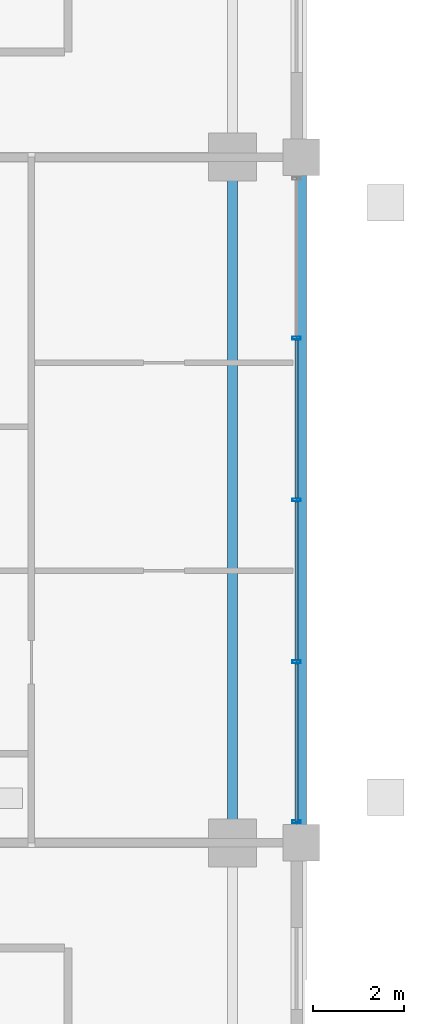
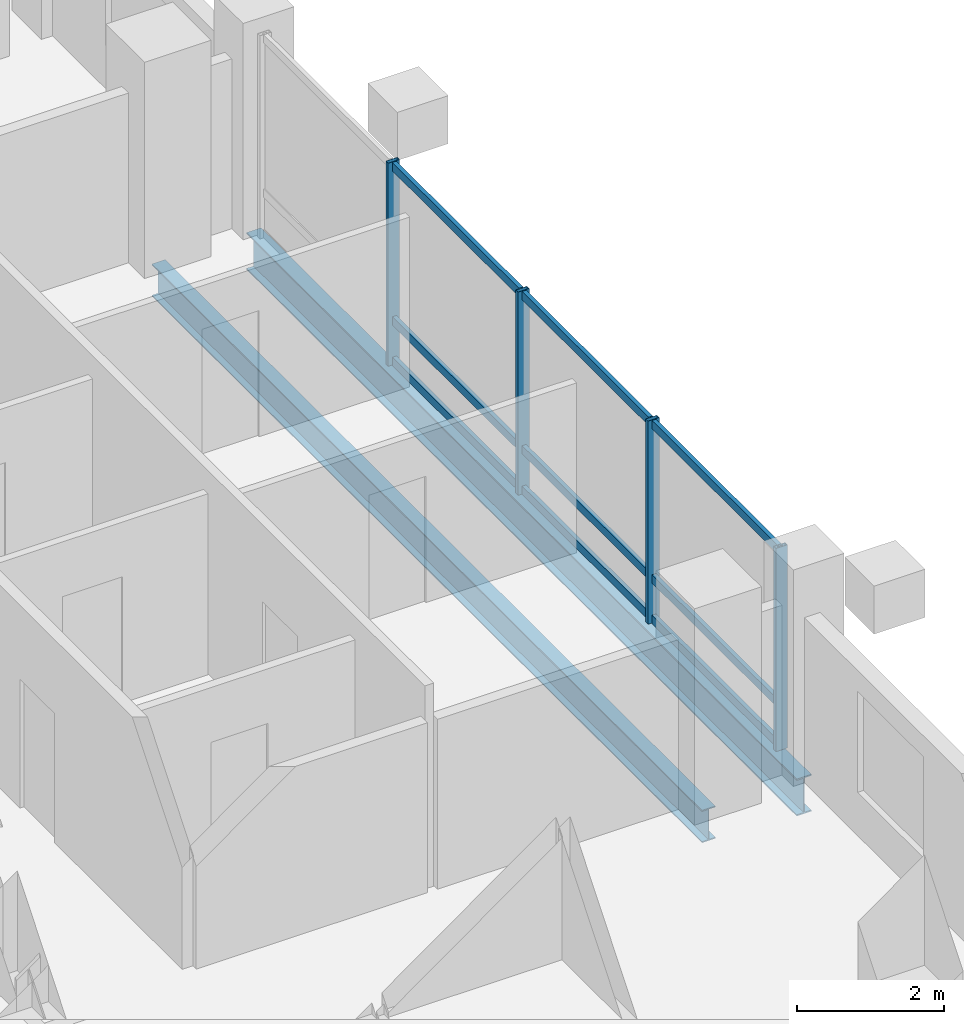
# One storey, part 10 of 24: 13 members, 2 beams, 1 element without a shape of its own.
"""IFC4 building model written with IfcOpenShell, lengths in metres."""

from ifc_helpers import new_model, si_unit, direction, frame, origin, origin_2d, place, context, subcontext, project, spatial, hollow_rectangle, i_section, extrude, material, layer, layer_set, material_profile, profile_set, type_object, element, aggregate, save


model = new_model("IFC4")

# Units and contexts
model_context = context("Model", 3, precision=1e-05, world=origin(), true_north=direction((0.0, 1.0)))
body_context = subcontext(model_context, "Body", "Model", "MODEL_VIEW")
ifc_project = project(units=[si_unit("LENGTHUNIT", "METRE"), si_unit("AREAUNIT", "SQUARE_METRE"), si_unit("VOLUMEUNIT", "CUBIC_METRE"), si_unit("PLANEANGLEUNIT", "RADIAN"), si_unit("MASSUNIT", "GRAM", prefix="KILO")], contexts=[model_context])

# Site, building, storey
site_placement = place(None, origin())
site = spatial("IfcSite", under=ifc_project, at=site_placement, CompositionType="ELEMENT")
building_placement = place(site_placement, origin())
building = spatial("IfcBuilding", under=site, at=building_placement, Name="Barlavira Tower and Art Museum", CompositionType="ELEMENT")
storey_placement = place(building_placement, frame((0.0, 0.0, 169.199951171875)))
storey = spatial("IfcBuildingStorey", under=building, at=storey_placement, Name="L43", CompositionType="ELEMENT", Elevation=169.199951171875)

# Curtain wall, members
ifc_material_1 = material(Name="Low-iron coastal laminated glass", Category="glass")
ifc_layer = layer(ifc_material_1, 0.199951171875, Name="Low-iron coastal laminated glass")
ifc_layer_set = layer_set([ifc_layer], Name="Low-iron coastal laminated glass")
curtain_wall_type = type_object("IfcCurtainWallType", Name="Pale-Metal Unitised Curtain Wall Zone 3", PredefinedType="NOTDEFINED", material=ifc_layer_set)
curtain_wall_placement = place(storey_placement, origin())
curtain_wall = element("IfcCurtainWall", 1, at=curtain_wall_placement, inside=storey, type_object=curtain_wall_type, Name="L43 Curtain Wall CW3-L43-E-B3", PredefinedType="NOTDEFINED")
ifc_material_2 = material(Name="Pale anodised aluminium", Category="aluminium")
ifc_material_profile_1 = material_profile(ifc_material_2, hollow_rectangle(XDim=0.06494140625, YDim=0.179931640625, WallThickness=0.00390625, at=origin_2d()), Name="ALU-MULL 65x180x4")
ifc_profile_set_1 = profile_set([ifc_material_profile_1], Name="Pale anodised aluminium")
member_type_1 = type_object("IfcMemberType", Name="Curtain Wall Pale-Metal Mullion 65x180", PredefinedType="MULLION", material=ifc_profile_set_1)
member_1_placement = place(storey_placement, frame((18.39990234375, -7.034912109375, 0.0), z_axis=(0.0, 0.0, 1.0), x_axis=(0.0, 1.0, 0.0)))
member_1 = element("IfcMember", 2, at=member_1_placement, type_object=member_type_1, Name="CW3-L43-E-B3 Mullion 0", PredefinedType="MULLION", context=body_context, shape_type="SweptSolid", body=[
    extrude(hollow_rectangle(XDim=0.06494140625, YDim=0.179931640625, WallThickness=0.00390625, at=origin_2d()), origin(), (0.0, 0.0, 1.0), 3.380126953125),
])
member_2_placement = place(storey_placement, frame((18.39990234375, -3.5400390625, 0.0), z_axis=(0.0, 0.0, 1.0), x_axis=(0.0, 1.0, 0.0)))
member_2 = element("IfcMember", 3, at=member_2_placement, type_object=member_type_1, Name="CW3-L43-E-B3 Mullion 1", PredefinedType="MULLION", context=body_context, shape_type="SweptSolid", body=[
    extrude(hollow_rectangle(XDim=0.06494140625, YDim=0.179931640625, WallThickness=0.00390625, at=origin_2d()), origin(), (0.0, 0.0, 1.0), 3.380126953125),
])
member_3_placement = place(storey_placement, frame((18.39990234375, 0.0, 0.0), z_axis=(0.0, 0.0, 1.0), x_axis=(0.0, 1.0, 0.0)))
member_3 = element("IfcMember", 4, at=member_3_placement, type_object=member_type_1, Name="CW3-L43-E-B3 Mullion 2", PredefinedType="MULLION", context=body_context, shape_type="SweptSolid", body=[
    extrude(hollow_rectangle(XDim=0.06494140625, YDim=0.179931640625, WallThickness=0.00390625, at=origin_2d()), origin(), (0.0, 0.0, 1.0), 3.380126953125),
])
member_4_placement = place(storey_placement, frame((18.39990234375, 3.5400390625, 0.0), z_axis=(0.0, 0.0, 1.0), x_axis=(0.0, 1.0, 0.0)))
member_4 = element("IfcMember", 5, at=member_4_placement, type_object=member_type_1, Name="CW3-L43-E-B3 Mullion 3", PredefinedType="MULLION", context=body_context, shape_type="SweptSolid", body=[
    extrude(hollow_rectangle(XDim=0.06494140625, YDim=0.179931640625, WallThickness=0.00390625, at=origin_2d()), origin(), (0.0, 0.0, 1.0), 3.380126953125),
])
ifc_material_profile_2 = material_profile(ifc_material_2, hollow_rectangle(XDim=0.06494140625, YDim=0.139892578125, WallThickness=0.00390625, at=origin_2d()), Name="ALU-TRAN 65x140x4")
ifc_profile_set_2 = profile_set([ifc_material_profile_2], Name="Pale anodised aluminium")
member_type_2 = type_object("IfcMemberType", Name="Curtain Wall Pale-Metal Transom 65x140", PredefinedType="USERDEFINED", material=ifc_profile_set_2)
member_5_placement = place(storey_placement, frame((18.39990234375, -7.034912109375, 0.070068359375), z_axis=(0.0, 1.0, 0.0), x_axis=(-1.0, 0.0, 0.0)))
member_5 = element("IfcMember", 6, at=member_5_placement, type_object=member_type_2, Name="CW3-L43-E-B3 Transom 0.1", ObjectType="TRANSOM", PredefinedType="USERDEFINED", context=body_context, shape_type="SweptSolid", body=[
    extrude(hollow_rectangle(XDim=0.06494140625, YDim=0.139892578125, WallThickness=0.00390625, at=origin_2d()), origin(), (0.0, 0.0, 1.0), 3.449951171875),
])
member_6_placement = place(storey_placement, frame((18.39990234375, -7.034912109375, 0.744140625), z_axis=(0.0, 1.0, 0.0), x_axis=(-1.0, 0.0, 0.0)))
member_6 = element("IfcMember", 7, at=member_6_placement, type_object=member_type_2, Name="CW3-L43-E-B3 Transom 0.2", ObjectType="TRANSOM", PredefinedType="USERDEFINED", context=body_context, shape_type="SweptSolid", body=[
    extrude(hollow_rectangle(XDim=0.06494140625, YDim=0.139892578125, WallThickness=0.00390625, at=origin_2d()), origin(), (0.0, 0.0, 1.0), 3.449951171875),
])
member_7_placement = place(storey_placement, frame((18.39990234375, -7.034912109375, 3.31005859375), z_axis=(0.0, 1.0, 0.0), x_axis=(-1.0, 0.0, 0.0)))
member_7 = element("IfcMember", 8, at=member_7_placement, type_object=member_type_2, Name="CW3-L43-E-B3 Transom 0.3", ObjectType="TRANSOM", PredefinedType="USERDEFINED", context=body_context, shape_type="SweptSolid", body=[
    extrude(hollow_rectangle(XDim=0.06494140625, YDim=0.139892578125, WallThickness=0.00390625, at=origin_2d()), origin(), (0.0, 0.0, 1.0), 3.449951171875),
])
member_8_placement = place(storey_placement, frame((18.39990234375, -3.4951171875, 0.070068359375), z_axis=(0.0, 1.0, 0.0), x_axis=(-1.0, 0.0, 0.0)))
member_8 = element("IfcMember", 9, at=member_8_placement, type_object=member_type_2, Name="CW3-L43-E-B3 Transom 1.1", ObjectType="TRANSOM", PredefinedType="USERDEFINED", context=body_context, shape_type="SweptSolid", body=[
    extrude(hollow_rectangle(XDim=0.06494140625, YDim=0.139892578125, WallThickness=0.00390625, at=origin_2d()), origin(), (0.0, 0.0, 1.0), 3.4501953125),
])
member_9_placement = place(storey_placement, frame((18.39990234375, -3.4951171875, 0.744140625), z_axis=(0.0, 1.0, 0.0), x_axis=(-1.0, 0.0, 0.0)))
member_9 = element("IfcMember", 10, at=member_9_placement, type_object=member_type_2, Name="CW3-L43-E-B3 Transom 1.2", ObjectType="TRANSOM", PredefinedType="USERDEFINED", context=body_context, shape_type="SweptSolid", body=[
    extrude(hollow_rectangle(XDim=0.06494140625, YDim=0.139892578125, WallThickness=0.00390625, at=origin_2d()), origin(), (0.0, 0.0, 1.0), 3.4501953125),
])
member_10_placement = place(storey_placement, frame((18.39990234375, -3.4951171875, 3.31005859375), z_axis=(0.0, 1.0, 0.0), x_axis=(-1.0, 0.0, 0.0)))
member_10 = element("IfcMember", 11, at=member_10_placement, type_object=member_type_2, Name="CW3-L43-E-B3 Transom 1.3", ObjectType="TRANSOM", PredefinedType="USERDEFINED", context=body_context, shape_type="SweptSolid", body=[
    extrude(hollow_rectangle(XDim=0.06494140625, YDim=0.139892578125, WallThickness=0.00390625, at=origin_2d()), origin(), (0.0, 0.0, 1.0), 3.4501953125),
])
member_11_placement = place(storey_placement, frame((18.39990234375, 0.044921875, 0.070068359375), z_axis=(0.0, 1.0, 0.0), x_axis=(-1.0, 0.0, 0.0)))
member_11 = element("IfcMember", 12, at=member_11_placement, type_object=member_type_2, Name="CW3-L43-E-B3 Transom 2.1", ObjectType="TRANSOM", PredefinedType="USERDEFINED", context=body_context, shape_type="SweptSolid", body=[
    extrude(hollow_rectangle(XDim=0.06494140625, YDim=0.139892578125, WallThickness=0.00390625, at=origin_2d()), origin(), (0.0, 0.0, 1.0), 3.4501953125),
])
member_12_placement = place(storey_placement, frame((18.39990234375, 0.044921875, 0.744140625), z_axis=(0.0, 1.0, 0.0), x_axis=(-1.0, 0.0, 0.0)))
member_12 = element("IfcMember", 13, at=member_12_placement, type_object=member_type_2, Name="CW3-L43-E-B3 Transom 2.2", ObjectType="TRANSOM", PredefinedType="USERDEFINED", context=body_context, shape_type="SweptSolid", body=[
    extrude(hollow_rectangle(XDim=0.06494140625, YDim=0.139892578125, WallThickness=0.00390625, at=origin_2d()), origin(), (0.0, 0.0, 1.0), 3.4501953125),
])
member_13_placement = place(storey_placement, frame((18.39990234375, 0.044921875, 3.31005859375), z_axis=(0.0, 1.0, 0.0), x_axis=(-1.0, 0.0, 0.0)))
member_13 = element("IfcMember", 14, at=member_13_placement, type_object=member_type_2, Name="CW3-L43-E-B3 Transom 2.3", ObjectType="TRANSOM", PredefinedType="USERDEFINED", context=body_context, shape_type="SweptSolid", body=[
    extrude(hollow_rectangle(XDim=0.06494140625, YDim=0.139892578125, WallThickness=0.00390625, at=origin_2d()), origin(), (0.0, 0.0, 1.0), 3.4501953125),
])
aggregate(curtain_wall, [member_1, member_2, member_3, member_4, member_5, member_6, member_7, member_8, member_9, member_10, member_11, member_12, member_13])

# Beams
ifc_material_3 = material(Name="Steel S355", Category="steel")
ifc_material_profile_3 = material_profile(ifc_material_3, i_section(OverallWidth=0.22998046875, OverallDepth=0.616943359375, WebThickness=0.01318359375, FlangeThickness=0.022216796875, at=origin_2d()), Name="W610x140.0")
ifc_profile_set_3 = profile_set([ifc_material_profile_3], Name="Steel S355")
beam_type_1 = type_object("IfcBeamType", Name="Upper Shaft Spandrel Edge Beam W610x140 Steel S355", PredefinedType="SPANDREL", material=ifc_profile_set_3)
beam_1_placement = place(storey_placement, frame((18.5, -7.5, -0.528564453125), z_axis=(0.0, 1.0, 0.0), x_axis=(-1.0, 0.0, 0.0)))
element("IfcBeam", 15, at=beam_1_placement, inside=storey, type_object=beam_type_1, Name="L43 Spandrel 6", PredefinedType="SPANDREL", context=body_context, shape_type="SweptSolid", body=[
    extrude(i_section(OverallWidth=0.22998046875, OverallDepth=0.616943359375, WebThickness=0.01318359375, FlangeThickness=0.022216796875, at=origin_2d()), origin(), (0.0, 0.0, 1.0), 15.0),
])
ifc_material_profile_4 = material_profile(ifc_material_3, i_section(OverallWidth=0.2109375, OverallDepth=0.5390625, WebThickness=0.01171875, FlangeThickness=0.018798828125, at=origin_2d()), Name="W530x109.0")
ifc_profile_set_4 = profile_set([ifc_material_profile_4], Name="Steel S355")
beam_type_2 = type_object("IfcBeamType", Name="Zone 3-4 Primary Floor Girder W530x109 Steel S355", PredefinedType="BEAM", material=ifc_profile_set_4)
beam_2_placement = place(storey_placement, frame((17.0, -7.5, -0.489501953125), z_axis=(0.0, 1.0, 0.0), x_axis=(-1.0, 0.0, 0.0)))
element("IfcBeam", 16, at=beam_2_placement, inside=storey, type_object=beam_type_2, Name="L43 Girder M-E2", PredefinedType="BEAM", context=body_context, shape_type="SweptSolid", body=[
    extrude(i_section(OverallWidth=0.2109375, OverallDepth=0.5390625, WebThickness=0.01171875, FlangeThickness=0.018798828125, at=origin_2d()), origin(), (0.0, 0.0, 1.0), 15.0),
])

save(model, "model.ifc")
